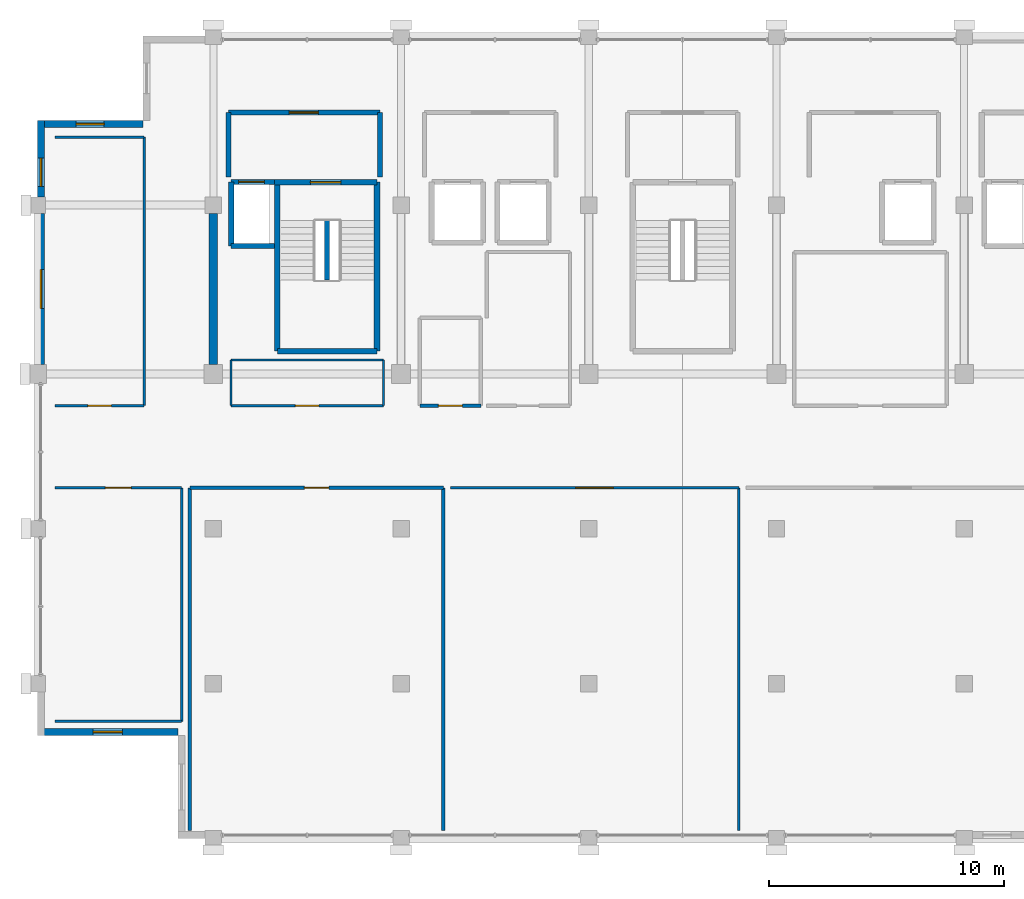
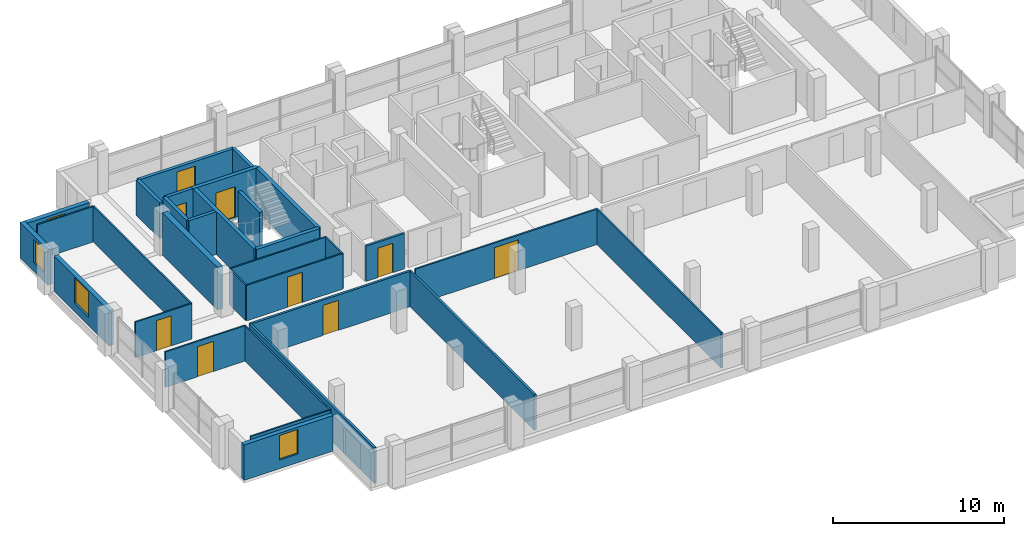
# One storey, part 20 of 24: 32 walls, 9 doors, 4 windows, 13 openings.
"""IFC4 building model written with IfcOpenShell, lengths in metres."""

from ifc_helpers import new_model, si_unit, direction, frame, frame_2d, origin, place, context, subcontext, project, spatial, rectangle, extrude, material, layer, layer_set, type_object, element, fill, save


model = new_model("IFC4")

# Units and contexts
model_context = context("Model", 3, precision=1e-05, world=origin(), true_north=direction((0.0, 1.0)))
body_context = subcontext(model_context, "Body", "Model", "MODEL_VIEW")
ifc_project = project(units=[si_unit("LENGTHUNIT", "METRE"), si_unit("AREAUNIT", "SQUARE_METRE"), si_unit("VOLUMEUNIT", "CUBIC_METRE"), si_unit("PLANEANGLEUNIT", "RADIAN"), si_unit("MASSUNIT", "GRAM", prefix="KILO")], contexts=[model_context])

# Site, building, storey
site_placement = place(None, origin())
site = spatial("IfcSite", under=ifc_project, at=site_placement, CompositionType="ELEMENT")
building_placement = place(site_placement, origin())
building = spatial("IfcBuilding", under=site, at=building_placement, Name="Akrevak Sports Hall", CompositionType="ELEMENT")
storey_placement = place(building_placement, frame((0.0, 0.0, 60.050048828125)))
storey = spatial("IfcBuildingStorey", under=building, at=storey_placement, Name="L15", CompositionType="ELEMENT", Elevation=60.050048828125)

# Wall, opening, window
ifc_material_1 = material(Name="Limestone Ashlar", Category="stone")
ifc_layer_1 = layer(ifc_material_1, 0.06005859375, Name="Limestone Ashlar")
ifc_material_2 = material(Name="Mineral Wool Thermal Insulation", Category="insulation")
ifc_layer_2 = layer(ifc_material_2, 0.090087890625, Name="Mineral Wool Thermal Insulation")
ifc_material_3 = material(Name="Concrete C40/50", Category="concrete")
ifc_layer_3 = layer(ifc_material_3, 0.14990234375, Name="Concrete C40/50")
ifc_layer_set_1 = layer_set([ifc_layer_1, ifc_layer_2, ifc_layer_3], Name="Limestone Ashlar / Mineral Wool Thermal Insulation / Concrete C40/50")
wall_type_1 = type_object("IfcWallType", Name="ARC-WL-EXT-300", PredefinedType="SOLIDWALL", material=ifc_layer_set_1)
wall_1_placement = place(storey_placement, frame((57.0, 65.85009765625, 0.0), z_axis=(0.0, 0.0, 1.0), x_axis=(-1.0, 0.0, 0.0)))
wall_1 = element("IfcWall", 1, at=wall_1_placement, inside=storey, type_object=wall_type_1, Name="Tower Stone Facade Wall L15-N25", PredefinedType="SOLIDWALL", context=body_context, shape_type="SweptSolid", body=[
    extrude(rectangle(XDim=4.5, YDim=0.300048828125, at=frame_2d((2.25, 0.0))), origin(), (0.0, 0.0, 1.0), 2.530029296875),
])
opening_1_placement = place(wall_1_placement, frame((1.64990234375, 0.0, 0.6201171875)))
opening_1 = element("IfcOpeningElement", 2, at=opening_1_placement, cuts=wall_1, Name="Opening WN-13", PredefinedType="OPENING", context=body_context, shape_type="SweptSolid", body=[
    extrude(rectangle(XDim=1.199951171875, YDim=1.699951171875, at=frame_2d((0.60009765625, 0.85009765625))), frame((0.0, 0.162109375, 0.0), z_axis=(0.0, -1.0, 0.0), x_axis=(1.0, 0.0, 0.0)), (0.0, 0.0, 1.0), 0.323974609375),
])
ifc_material_4 = material(Name="Thermally Broken Bronze Frame & Double Low-E Glass", Category="glass")
window_type_1 = type_object("IfcWindowType", Name="ARC-WIN-TW-120x170", PartitioningType="SINGLE_PANEL", PredefinedType="WINDOW", material=ifc_material_4)
window_1_placement = place(opening_1_placement, origin())
window_1 = element("IfcWindow", 3, at=window_1_placement, inside=storey, type_object=window_type_1, Name="Tower Window L15-N25", OverallHeight=1.699951171875, OverallWidth=1.199951171875, PartitioningType="SINGLE_PANEL", PredefinedType="WINDOW", context=body_context, shape_type="SweptSolid", body=[
    extrude(rectangle(XDim=1.199951171875, YDim=1.699951171875, at=frame_2d((0.60009765625, 0.85009765625))), frame((0.0, 0.030029296875, 0.0), z_axis=(0.0, -1.0, 0.0), x_axis=(1.0, 0.0, 0.0)), (0.0, 0.0, 1.0), 0.06005859375),
])
fill(opening_1, window_1)

wall_2_placement = place(storey_placement, frame((52.64990234375, 66.0, 0.0), z_axis=(0.0, 0.0, 1.0), x_axis=(0.0, -1.0, 0.0)))
wall_2 = element("IfcWall", 4, at=wall_2_placement, inside=storey, type_object=wall_type_1, Name="Tower Stone Facade Wall L15-W26", PredefinedType="SOLIDWALL", context=body_context, shape_type="SweptSolid", body=[
    extrude(rectangle(XDim=3.25, YDim=0.300048828125, at=frame_2d((1.625, 0.0))), origin(), (0.0, 0.0, 1.0), 2.530029296875),
])
opening_2_placement = place(wall_2_placement, frame((1.60009765625, 0.0, 0.6201171875)))
opening_2 = element("IfcOpeningElement", 5, at=opening_2_placement, cuts=wall_2, Name="Opening WN-45", PredefinedType="OPENING", context=body_context, shape_type="SweptSolid", body=[
    extrude(rectangle(XDim=1.199951171875, YDim=1.64990234375, at=frame_2d((0.60009765625, 0.824951171875))), frame((0.0, 0.162109375, 0.0), z_axis=(0.0, -1.0, 0.0), x_axis=(1.0, 0.0, 0.0)), (0.0, 0.0, 1.0), 0.323974609375),
])
window_type_2 = type_object("IfcWindowType", Name="ARC-WIN-SZ-1200x1650", PartitioningType="SINGLE_PANEL", PredefinedType="WINDOW", material=ifc_material_4)
window_2_placement = place(opening_2_placement, origin())
window_2 = element("IfcWindow", 6, at=window_2_placement, inside=storey, type_object=window_type_2, Name="Tower Window L15-W26", OverallHeight=1.64990234375, OverallWidth=1.199951171875, PartitioningType="SINGLE_PANEL", PredefinedType="WINDOW", context=body_context, shape_type="SweptSolid", body=[
    extrude(rectangle(XDim=1.199951171875, YDim=1.64990234375, at=frame_2d((0.60009765625, 0.824951171875))), frame((0.0, 0.030029296875, 0.0), z_axis=(0.0, -1.0, 0.0), x_axis=(1.0, 0.0, 0.0)), (0.0, 0.0, 1.0), 0.06005859375),
])
fill(opening_2, window_2)

wall_3_placement = place(storey_placement, frame((52.64990234375, 62.050048828125, 0.0), z_axis=(0.0, 0.0, 1.0), x_axis=(0.0, -1.0, 0.0)))
wall_3 = element("IfcWall", 7, at=wall_3_placement, inside=storey, type_object=wall_type_1, Name="Tower Stone Facade Wall L15-W27", PredefinedType="SOLIDWALL", context=body_context, shape_type="SweptSolid", body=[
    extrude(rectangle(XDim=6.449951171875, YDim=0.300048828125, at=frame_2d((3.22509765625, 0.0))), origin(), (0.0, 0.0, 1.0), 2.530029296875),
])
opening_3_placement = place(wall_3_placement, frame((2.39990234375, 0.0, 0.6201171875)))
opening_3 = element("IfcOpeningElement", 8, at=opening_3_placement, cuts=wall_3, Name="Opening WN-58", PredefinedType="OPENING", context=body_context, shape_type="SweptSolid", body=[
    extrude(rectangle(XDim=1.64990234375, YDim=1.81005859375, at=frame_2d((0.824951171875, 0.905029296875))), frame((0.0, 0.162109375, 0.0), z_axis=(0.0, -1.0, 0.0), x_axis=(1.0, 0.0, 0.0)), (0.0, 0.0, 1.0), 0.323974609375),
])
window_type_3 = type_object("IfcWindowType", Name="ARC-WIN-SZ-1650x1810", PartitioningType="SINGLE_PANEL", PredefinedType="WINDOW", material=ifc_material_4)
window_3_placement = place(opening_3_placement, origin())
window_3 = element("IfcWindow", 9, at=window_3_placement, inside=storey, type_object=window_type_3, Name="Tower Window L15-W27", OverallHeight=1.81005859375, OverallWidth=1.64990234375, PartitioningType="SINGLE_PANEL", PredefinedType="WINDOW", context=body_context, shape_type="SweptSolid", body=[
    extrude(rectangle(XDim=1.64990234375, YDim=1.81005859375, at=frame_2d((0.824951171875, 0.905029296875))), frame((0.0, 0.030029296875, 0.0), z_axis=(0.0, -1.0, 0.0), x_axis=(1.0, 0.0, 0.0)), (0.0, 0.0, 1.0), 0.06005859375),
])
fill(opening_3, window_3)

wall_4_placement = place(storey_placement, frame((52.5, 39.949951171875, 0.0), z_axis=(0.0, 0.0, 1.0), x_axis=(1.0, 0.0, 0.0)))
wall_4 = element("IfcWall", 10, at=wall_4_placement, inside=storey, type_object=wall_type_1, Name="Tower Stone Facade Wall L15-S31", PredefinedType="SOLIDWALL", context=body_context, shape_type="SweptSolid", body=[
    extrude(rectangle(XDim=6.0, YDim=0.300048828125, at=frame_2d((3.0, 0.0))), origin(), (0.0, 0.0, 1.0), 2.530029296875),
])
opening_4_placement = place(wall_4_placement, frame((2.375, 0.0, 0.6201171875)))
opening_4 = element("IfcOpeningElement", 11, at=opening_4_placement, cuts=wall_4, Name="Opening WN-20", PredefinedType="OPENING", context=body_context, shape_type="SweptSolid", body=[
    extrude(rectangle(XDim=1.25, YDim=1.75, at=frame_2d((0.625, 0.875))), frame((0.0, 0.162109375, 0.0), z_axis=(0.0, -1.0, 0.0), x_axis=(1.0, 0.0, 0.0)), (0.0, 0.0, 1.0), 0.323974609375),
])
window_type_4 = type_object("IfcWindowType", Name="ARC-WIN-TW-125x175", PartitioningType="SINGLE_PANEL", PredefinedType="WINDOW", material=ifc_material_4)
window_4_placement = place(opening_4_placement, origin())
window_4 = element("IfcWindow", 12, at=window_4_placement, inside=storey, type_object=window_type_4, Name="Tower Window L15-S31", OverallHeight=1.75, OverallWidth=1.25, PartitioningType="SINGLE_PANEL", PredefinedType="WINDOW", context=body_context, shape_type="SweptSolid", body=[
    extrude(rectangle(XDim=1.25, YDim=1.75, at=frame_2d((0.625, 0.875))), frame((0.0, 0.030029296875, 0.0), z_axis=(0.0, -1.0, 0.0), x_axis=(1.0, 0.0, 0.0)), (0.0, 0.0, 1.0), 0.06005859375),
])
fill(opening_4, window_4)

# Wall
ifc_material_5 = material(Name="Sanitary Cubicle Partition", Category="gypsum")
ifc_layer_4 = layer(ifc_material_5, 0.10009765625, Name="Sanitary Cubicle Partition")
ifc_layer_set_2 = layer_set([ifc_layer_4], Name="Sanitary Cubicle Partition")
wall_type_2 = type_object("IfcWallType", Name="ARC-WL-PRT-100", PredefinedType="PARTITIONING", material=ifc_layer_set_2)
wall_5_placement = place(storey_placement, frame((53.25, 40.39990234375, 0.0), z_axis=(0.0, 0.0, 1.0), x_axis=(1.0, 0.0, 0.0)))
element("IfcWall", 13, at=wall_5_placement, inside=storey, type_object=wall_type_2, Name="Interior Partition Olympic Protocol Secretariat West (L15) (S)", PredefinedType="PARTITIONING", context=body_context, shape_type="SweptSolid", body=[
    extrude(rectangle(XDim=5.39990234375, YDim=0.10009765625, at=frame_2d((2.699951171875, 0.0))), origin(), (0.0, 0.0, 1.0), 2.530029296875),
])

# Wall, opening, door
wall_6_placement = place(storey_placement, frame((53.25, 50.35009765625, 0.0), z_axis=(0.0, 0.0, 1.0), x_axis=(1.0, 0.0, 0.0)))
wall_6 = element("IfcWall", 14, at=wall_6_placement, inside=storey, type_object=wall_type_2, Name="Interior Partition Olympic Protocol Secretariat West (L15) (N)", PredefinedType="PARTITIONING", context=body_context, shape_type="SweptSolid", body=[
    extrude(rectangle(XDim=5.39990234375, YDim=0.10009765625, at=frame_2d((2.699951171875, 0.0))), origin(), (0.0, 0.0, 1.0), 2.530029296875),
])
opening_5_placement = place(wall_6_placement, frame((2.14990234375, 0.0, 0.0)))
opening_5 = element("IfcOpeningElement", 15, at=opening_5_placement, cuts=wall_6, Name="Opening ID-04", PredefinedType="OPENING", context=body_context, shape_type="SweptSolid", body=[
    extrude(rectangle(XDim=1.10009765625, YDim=2.14990234375, at=frame_2d((0.550048828125, 1.074951171875))), frame((0.0, 0.06201171875, 0.0), z_axis=(0.0, -1.0, 0.0), x_axis=(1.0, 0.0, 0.0)), (0.0, 0.0, 1.0), 0.1240234375),
])
ifc_material_6 = material(Name="Hardwood Oak Acoustic Leaf", Category="wood")
door_type_1 = type_object("IfcDoorType", Name="ARC-DR-OFF-110x215", OperationType="NOTDEFINED", PredefinedType="DOOR", material=ifc_material_6)
door_1_placement = place(opening_5_placement, frame((1.10009765625, 0.0, 0.0), z_axis=(0.0, 0.0, 1.0), x_axis=(-1.0, 0.0, 0.0)))
door_1 = element("IfcDoor", 16, at=door_1_placement, inside=storey, type_object=door_type_1, Name="Door to Olympic Protocol Secretariat West (L15)", OperationType="SINGLE_SWING_RIGHT", OverallHeight=2.14990234375, OverallWidth=1.10009765625, PredefinedType="DOOR", context=body_context, shape_type="SweptSolid", body=[
    extrude(rectangle(XDim=1.10009765625, YDim=2.14990234375, at=frame_2d((0.550048828125, 1.074951171875))), frame((0.0, 0.02490234375, 0.0), z_axis=(0.0, -1.0, 0.0), x_axis=(1.0, 0.0, 0.0)), (0.0, 0.0, 1.0), 0.050048828125),
])
fill(opening_5, door_1)

# Wall
wall_7_placement = place(storey_placement, frame((58.64990234375, 40.39990234375, 0.0), z_axis=(0.0, 0.0, 1.0), x_axis=(0.0, 1.0, 0.0)))
element("IfcWall", 17, at=wall_7_placement, inside=storey, type_object=wall_type_2, Name="Interior Partition Olympic Protocol Secretariat West (L15) (E)", PredefinedType="PARTITIONING", context=body_context, shape_type="SweptSolid", body=[
    extrude(rectangle(XDim=9.9501953125, YDim=0.10009765625, at=frame_2d((4.97509765625, 0.0))), origin(), (0.0, 0.0, 1.0), 2.530029296875),
])

# Wall, opening, door
wall_8_placement = place(storey_placement, frame((53.25, 53.85009765625, 0.0), z_axis=(0.0, 0.0, 1.0), x_axis=(1.0, 0.0, 0.0)))
wall_8 = element("IfcWall", 18, at=wall_8_placement, inside=storey, type_object=wall_type_2, Name="Interior Partition Federation Records Office West (L15) (S)", PredefinedType="PARTITIONING", context=body_context, shape_type="SweptSolid", body=[
    extrude(rectangle(XDim=3.800048828125, YDim=0.10009765625, at=frame_2d((1.89990234375, 0.0))), origin(), (0.0, 0.0, 1.0), 2.530029296875),
])
opening_6_placement = place(wall_8_placement, frame((1.39990234375, 0.0, 0.0)))
opening_6 = element("IfcOpeningElement", 19, at=opening_6_placement, cuts=wall_8, Name="Opening ID-06", PredefinedType="OPENING", context=body_context, shape_type="SweptSolid", body=[
    extrude(rectangle(XDim=1.0, YDim=2.14990234375, at=frame_2d((0.5, 1.074951171875))), frame((0.0, 0.06201171875, 0.0), z_axis=(0.0, -1.0, 0.0), x_axis=(1.0, 0.0, 0.0)), (0.0, 0.0, 1.0), 0.1240234375),
])
door_type_2 = type_object("IfcDoorType", Name="ARC-DR-OFF-100x215", OperationType="NOTDEFINED", PredefinedType="DOOR", material=ifc_material_6)
door_2_placement = place(opening_6_placement, frame((1.0, 0.0, 0.0), z_axis=(0.0, 0.0, 1.0), x_axis=(-1.0, 0.0, 0.0)))
door_2 = element("IfcDoor", 20, at=door_2_placement, inside=storey, type_object=door_type_2, Name="Door to Federation Records Office West (L15)", OperationType="SINGLE_SWING_RIGHT", OverallHeight=2.14990234375, OverallWidth=1.0, PredefinedType="DOOR", context=body_context, shape_type="SweptSolid", body=[
    extrude(rectangle(XDim=1.0, YDim=2.14990234375, at=frame_2d((0.5, 1.074951171875))), frame((0.0, 0.02490234375, 0.0), z_axis=(0.0, -1.0, 0.0), x_axis=(1.0, 0.0, 0.0)), (0.0, 0.0, 1.0), 0.050048828125),
])
fill(opening_6, door_2)

# Walls
wall_9_placement = place(storey_placement, frame((53.25, 65.300048828125, 0.0), z_axis=(0.0, 0.0, 1.0), x_axis=(1.0, 0.0, 0.0)))
element("IfcWall", 21, at=wall_9_placement, inside=storey, type_object=wall_type_2, Name="Interior Partition Federation Records Office West (L15) (N)", PredefinedType="PARTITIONING", context=body_context, shape_type="SweptSolid", body=[
    extrude(rectangle(XDim=3.800048828125, YDim=0.10009765625, at=frame_2d((1.89990234375, 0.0))), origin(), (0.0, 0.0, 1.0), 2.530029296875),
])
wall_10_placement = place(storey_placement, frame((57.050048828125, 53.85009765625, 0.0), z_axis=(0.0, 0.0, 1.0), x_axis=(0.0, 1.0, 0.0)))
element("IfcWall", 22, at=wall_10_placement, inside=storey, type_object=wall_type_2, Name="Interior Partition Federation Records Office West (L15) (E)", PredefinedType="PARTITIONING", context=body_context, shape_type="SweptSolid", body=[
    extrude(rectangle(XDim=11.449951171875, YDim=0.10009765625, at=frame_2d((5.72509765625, 0.0))), origin(), (0.0, 0.0, 1.0), 2.530029296875),
])

# Wall, opening, door
wall_11_placement = place(storey_placement, frame((60.75, 53.85009765625, 0.0), z_axis=(0.0, 0.0, 1.0), x_axis=(1.0, 0.0, 0.0)))
wall_11 = element("IfcWall", 23, at=wall_11_placement, inside=storey, type_object=wall_type_2, Name="Interior Partition Federation Technical Office West (L15) (S)", PredefinedType="PARTITIONING", context=body_context, shape_type="SweptSolid", body=[
    extrude(rectangle(XDim=6.5, YDim=0.10009765625, at=frame_2d((3.25, 0.0))), origin(), (0.0, 0.0, 1.0), 2.530029296875),
])
opening_7_placement = place(wall_11_placement, frame((2.75, 0.0, 0.0)))
opening_7 = element("IfcOpeningElement", 24, at=opening_7_placement, cuts=wall_11, Name="Opening ID-06", PredefinedType="OPENING", context=body_context, shape_type="SweptSolid", body=[
    extrude(rectangle(XDim=1.0, YDim=2.14990234375, at=frame_2d((0.5, 1.074951171875))), frame((0.0, 0.06201171875, 0.0), z_axis=(0.0, -1.0, 0.0), x_axis=(1.0, 0.0, 0.0)), (0.0, 0.0, 1.0), 0.1240234375),
])
door_3_placement = place(opening_7_placement, origin())
door_3 = element("IfcDoor", 25, at=door_3_placement, inside=storey, type_object=door_type_2, Name="Door to Federation Technical Office West (L15)", OperationType="SINGLE_SWING_LEFT", OverallHeight=2.14990234375, OverallWidth=1.0, PredefinedType="DOOR", context=body_context, shape_type="SweptSolid", body=[
    extrude(rectangle(XDim=1.0, YDim=2.14990234375, at=frame_2d((0.5, 1.074951171875))), frame((0.0, 0.02490234375, 0.0), z_axis=(0.0, -1.0, 0.0), x_axis=(1.0, 0.0, 0.0)), (0.0, 0.0, 1.0), 0.050048828125),
])
fill(opening_7, door_3)

# Walls
wall_12_placement = place(storey_placement, frame((60.75, 55.800048828125, 0.0), z_axis=(0.0, 0.0, 1.0), x_axis=(1.0, 0.0, 0.0)))
element("IfcWall", 26, at=wall_12_placement, inside=storey, type_object=wall_type_2, Name="Interior Partition Federation Technical Office West (L15) (N)", PredefinedType="PARTITIONING", context=body_context, shape_type="SweptSolid", body=[
    extrude(rectangle(XDim=6.5, YDim=0.10009765625, at=frame_2d((3.25, 0.0))), origin(), (0.0, 0.0, 1.0), 2.530029296875),
])
for number, where, z_axis, x_axis, name in (
    (27, (60.75, 53.85009765625, 0.0), (0.0, 0.0, 1.0), (0.0, 1.0, 0.0), "Interior Partition Federation Technical Office West (L15) (W)"),
    (28, (67.25, 53.85009765625, 0.0), (0.0, 0.0, 1.0), (0.0, 1.0, 0.0), "Interior Partition Federation Technical Office West (L15) (E)"),
):
    element("IfcWall", number, at=place(storey_placement, frame(where, z_axis=z_axis, x_axis=x_axis)), inside=storey, type_object=wall_type_2, Name=name, PredefinedType="PARTITIONING", context=body_context, shape_type="SweptSolid", body=[
        extrude(rectangle(XDim=1.949951171875, YDim=0.10009765625, at=frame_2d((0.97509765625, 0.0))), origin(), (0.0, 0.0, 1.0), 2.530029296875),
    ])

# Wall, opening, door
ifc_material_7 = material(Name="Lightweight Office Partition", Category="gypsum")
ifc_layer_5 = layer(ifc_material_7, 0.110107421875, Name="Lightweight Office Partition")
ifc_layer_set_3 = layer_set([ifc_layer_5], Name="Lightweight Office Partition")
wall_type_3 = type_object("IfcWallType", Name="ARC-WL-PRT-110", PredefinedType="PARTITIONING", material=ifc_layer_set_3)
wall_13_placement = place(storey_placement, frame((70.10009765625, 50.35009765625, 0.0), z_axis=(0.0, 0.0, 1.0), x_axis=(1.0, 0.0, 0.0)))
wall_13 = element("IfcWall", 29, at=wall_13_placement, inside=storey, type_object=wall_type_3, Name="Interior Partition Sports Heritage Reading Gallery (L15) (N)", PredefinedType="PARTITIONING", context=body_context, shape_type="SweptSolid", body=[
    extrude(rectangle(XDim=12.2998046875, YDim=0.110107421875, at=frame_2d((6.14990234375, 0.0))), origin(), (0.0, 0.0, 1.0), 2.530029296875),
])
opening_8_placement = place(wall_13_placement, frame((5.35009765625, 0.0, 0.0)))
opening_8 = element("IfcOpeningElement", 30, at=opening_8_placement, cuts=wall_13, Name="Opening ID-03", PredefinedType="OPENING", context=body_context, shape_type="SweptSolid", body=[
    extrude(rectangle(XDim=1.60009765625, YDim=2.199951171875, at=frame_2d((0.800048828125, 1.10009765625))), frame((0.0, 0.06689453125, 0.0), z_axis=(0.0, -1.0, 0.0), x_axis=(1.0, 0.0, 0.0)), (0.0, 0.0, 1.0), 0.134033203125),
])
ifc_material_8 = material(Name="Hardwood Oak & Safety Glass", Category="wood")
door_type_3 = type_object("IfcDoorType", Name="ARC-DR-HALL-160x220", OperationType="DOUBLE_DOOR_SINGLE_SWING", PredefinedType="DOOR", material=ifc_material_8)
door_4_placement = place(opening_8_placement, origin())
door_4 = element("IfcDoor", 31, at=door_4_placement, inside=storey, type_object=door_type_3, Name="Door to Sports Heritage Reading Gallery (L15)", OperationType="DOUBLE_DOOR_SINGLE_SWING", OverallHeight=2.199951171875, OverallWidth=1.60009765625, PredefinedType="DOOR", context=body_context, shape_type="SweptSolid", body=[
    extrude(rectangle(XDim=1.60009765625, YDim=2.199951171875, at=frame_2d((0.800048828125, 1.10009765625))), frame((0.0, 0.02490234375, 0.0), z_axis=(0.0, -1.0, 0.0), x_axis=(1.0, 0.0, 0.0)), (0.0, 0.0, 1.0), 0.050048828125),
])
fill(opening_8, door_4)

# Wall
wall_14_placement = place(storey_placement, frame((82.39990234375, 35.75, 0.0), z_axis=(0.0, 0.0, 1.0), x_axis=(0.0, 1.0, 0.0)))
element("IfcWall", 32, at=wall_14_placement, inside=storey, type_object=wall_type_3, Name="Interior Partition Sports Heritage Reading Gallery (L15) (E)", PredefinedType="PARTITIONING", context=body_context, shape_type="SweptSolid", body=[
    extrude(rectangle(XDim=14.60009765625, YDim=0.110107421875, at=frame_2d((7.300048828125, 0.0))), origin(), (0.0, 0.0, 1.0), 2.530029296875),
])

# Wall, opening, door
ifc_material_9 = material(Name="Moisture-Resistant Wet-Area Partition", Category="gypsum")
ifc_layer_6 = layer(ifc_material_9, 0.139892578125, Name="Moisture-Resistant Wet-Area Partition")
ifc_layer_set_4 = layer_set([ifc_layer_6], Name="Moisture-Resistant Wet-Area Partition")
wall_type_4 = type_object("IfcWallType", Name="ARC-WL-PRT-140", PredefinedType="PARTITIONING", material=ifc_layer_set_4)
wall_15_placement = place(storey_placement, frame((68.800048828125, 53.85009765625, 0.0), z_axis=(0.0, 0.0, 1.0), x_axis=(1.0, 0.0, 0.0)))
wall_15 = element("IfcWall", 33, at=wall_15_placement, inside=storey, type_object=wall_type_4, Name="Interior Partition Accessible WC L15 (S)", PredefinedType="PARTITIONING", context=body_context, shape_type="SweptSolid", body=[
    extrude(rectangle(XDim=2.599853515625, YDim=0.139892578125, at=frame_2d((1.2998046875, 0.0))), origin(), (0.0, 0.0, 1.0), 2.530029296875),
])
opening_9_placement = place(wall_15_placement, frame((0.7900390625, 0.0, 0.0)))
opening_9 = element("IfcOpeningElement", 34, at=opening_9_placement, cuts=wall_15, Name="Opening ID-09", PredefinedType="OPENING", context=body_context, shape_type="SweptSolid", body=[
    extrude(rectangle(XDim=1.02001953125, YDim=2.10009765625, at=frame_2d((0.510009765625, 1.050048828125))), frame((0.0, 0.08203125, 0.0), z_axis=(0.0, -1.0, 0.0), x_axis=(1.0, 0.0, 0.0)), (0.0, 0.0, 1.0), 0.163818359375),
])
ifc_material_10 = material(Name="High-Pressure Laminate & Aluminium", Category="aluminium")
door_type_4 = type_object("IfcDoorType", Name="ARC-DR-AWC-102x210", OperationType="NOTDEFINED", PredefinedType="DOOR", material=ifc_material_10)
door_5_placement = place(opening_9_placement, frame((1.02001953125, 0.0, 0.0), z_axis=(0.0, 0.0, 1.0), x_axis=(-1.0, 0.0, 0.0)))
door_5 = element("IfcDoor", 35, at=door_5_placement, inside=storey, type_object=door_type_4, Name="Door to Accessible WC L15", OperationType="SINGLE_SWING_RIGHT", OverallHeight=2.10009765625, OverallWidth=1.02001953125, PredefinedType="DOOR", context=body_context, shape_type="SweptSolid", body=[
    extrude(rectangle(XDim=1.02001953125, YDim=2.10009765625, at=frame_2d((0.510009765625, 1.050048828125))), frame((0.0, 0.02490234375, 0.0), z_axis=(0.0, -1.0, 0.0), x_axis=(1.0, 0.0, 0.0)), (0.0, 0.0, 1.0), 0.050048828125),
])
fill(opening_9, door_5)

ifc_material_11 = material(Name="Double Stud Acoustic Gypsum Partition", Category="gypsum")
ifc_layer_7 = layer(ifc_material_11, 0.14990234375, Name="Double Stud Acoustic Gypsum Partition")
ifc_layer_set_5 = layer_set([ifc_layer_7], Name="Double Stud Acoustic Gypsum Partition")
wall_type_5 = type_object("IfcWallType", Name="ARC-WL-PRT-150", PredefinedType="PARTITIONING", material=ifc_layer_set_5)
wall_16_placement = place(storey_placement, frame((59.0, 50.35009765625, 0.0), z_axis=(0.0, 0.0, 1.0), x_axis=(1.0, 0.0, 0.0)))
wall_16 = element("IfcWall", 36, at=wall_16_placement, inside=storey, type_object=wall_type_5, Name="Interior Partition Bosphorus Athletic Club Dining Hall (L15) (N)", PredefinedType="PARTITIONING", context=body_context, shape_type="SweptSolid", body=[
    extrude(rectangle(XDim=10.800048828125, YDim=0.14990234375, at=frame_2d((5.39990234375, 0.0))), origin(), (0.0, 0.0, 1.0), 2.530029296875),
])
opening_10_placement = place(wall_16_placement, frame((4.875, 0.0, 0.0)))
opening_10 = element("IfcOpeningElement", 37, at=opening_10_placement, cuts=wall_16, Name="Opening ID-05", PredefinedType="OPENING", context=body_context, shape_type="SweptSolid", body=[
    extrude(rectangle(XDim=1.050048828125, YDim=2.14990234375, at=frame_2d((0.52490234375, 1.074951171875))), frame((0.0, 0.0869140625, 0.0), z_axis=(0.0, -1.0, 0.0), x_axis=(1.0, 0.0, 0.0)), (0.0, 0.0, 1.0), 0.173828125),
])
door_type_5 = type_object("IfcDoorType", Name="ARC-DR-OFF-105x215", OperationType="NOTDEFINED", PredefinedType="DOOR", material=ifc_material_6)
door_6_placement = place(opening_10_placement, origin())
door_6 = element("IfcDoor", 38, at=door_6_placement, inside=storey, type_object=door_type_5, Name="Door to Bosphorus Athletic Club Dining Hall (L15)", OperationType="SINGLE_SWING_RIGHT", OverallHeight=2.14990234375, OverallWidth=1.050048828125, PredefinedType="DOOR", context=body_context, shape_type="SweptSolid", body=[
    extrude(rectangle(XDim=1.050048828125, YDim=2.14990234375, at=frame_2d((0.52490234375, 1.074951171875))), frame((0.0, 0.02490234375, 0.0), z_axis=(0.0, -1.0, 0.0), x_axis=(1.0, 0.0, 0.0)), (0.0, 0.0, 1.0), 0.050048828125),
])
fill(opening_10, door_6)

# Walls
for number, where, z_axis, x_axis, name in (
    (39, (59.0, 35.75, 0.0), (0.0, 0.0, 1.0), (0.0, 1.0, 0.0), "Interior Partition Bosphorus Athletic Club Dining Hall (L15) (W)"),
    (40, (69.800048828125, 35.75, 0.0), (0.0, 0.0, 1.0), (0.0, 1.0, 0.0), "Interior Partition Bosphorus Athletic Club Dining Hall (L15) (E)"),
):
    element("IfcWall", number, at=place(storey_placement, frame(where, z_axis=z_axis, x_axis=x_axis)), inside=storey, type_object=wall_type_5, Name=name, PredefinedType="PARTITIONING", context=body_context, shape_type="SweptSolid", body=[
        extrude(rectangle(XDim=14.60009765625, YDim=0.14990234375, at=frame_2d((7.300048828125, 0.0))), origin(), (0.0, 0.0, 1.0), 2.530029296875),
    ])
ifc_layer_8 = layer(ifc_material_3, 0.219970703125, Name="Concrete C40/50")
ifc_layer_set_6 = layer_set([ifc_layer_8], Name="Concrete C40/50")
wall_type_6 = type_object("IfcWallType", Name="ARC-WL-PRT-220", PredefinedType="PARTITIONING", material=ifc_layer_set_6)
wall_17_placement = place(storey_placement, frame((64.85009765625, 59.215087890625, 0.0), z_axis=(0.0, 0.0, 1.0), x_axis=(0.0, 1.0, 0.0)))
element("IfcWall", 41, at=wall_17_placement, inside=storey, type_object=wall_type_6, Name="Stair ST1 Central Spine Wall (L15)", PredefinedType="PARTITIONING", context=body_context, shape_type="SweptSolid", body=[
    extrude(rectangle(XDim=2.52001953125, YDim=0.219970703125, at=frame_2d((1.260009765625, 0.0))), origin(), (0.0, 0.0, 1.0), 3.0400390625),
])

# Wall, opening, door
wall_18_placement = place(storey_placement, frame((60.64990234375, 66.35009765625, 0.0), z_axis=(0.0, 0.0, 1.0), x_axis=(1.0, 0.0, 0.0)))
wall_18 = element("IfcWall", 42, at=wall_18_placement, inside=storey, type_object=wall_type_6, Name="Interior Partition Firefighting Lobby West L15 (N)", PredefinedType="PARTITIONING", context=body_context, shape_type="SweptSolid", body=[
    extrude(rectangle(XDim=6.4501953125, YDim=0.219970703125, at=frame_2d((3.22509765625, 0.0))), origin(), (0.0, 0.0, 1.0), 2.530029296875),
])
opening_11_placement = place(wall_18_placement, frame((2.574951171875, 0.0, 0.0)))
opening_11 = element("IfcOpeningElement", 43, at=opening_11_placement, cuts=wall_18, Name="Opening FD-01", PredefinedType="OPENING", context=body_context, shape_type="SweptSolid", body=[
    extrude(rectangle(XDim=1.25, YDim=2.199951171875, at=frame_2d((0.625, 1.10009765625))), frame((0.0, 0.1220703125, 0.0), z_axis=(0.0, -1.0, 0.0), x_axis=(1.0, 0.0, 0.0)), (0.0, 0.0, 1.0), 0.243896484375),
])
ifc_material_12 = material(Name="Fire-Rated Galvanized Door Steel", Category="steel")
door_type_6 = type_object("IfcDoorType", Name="ARC-DR-FFL-125x220", OperationType="NOTDEFINED", PredefinedType="DOOR", material=ifc_material_12)
door_7_placement = place(opening_11_placement, frame((1.25, 0.0, 0.0), z_axis=(0.0, 0.0, 1.0), x_axis=(-1.0, 0.0, 0.0)))
door_7 = element("IfcDoor", 44, at=door_7_placement, inside=storey, type_object=door_type_6, Name="Door to Firefighting Lobby West L15", OperationType="SINGLE_SWING_RIGHT", OverallHeight=2.199951171875, OverallWidth=1.25, PredefinedType="DOOR", context=body_context, shape_type="SweptSolid", body=[
    extrude(rectangle(XDim=1.25, YDim=2.199951171875, at=frame_2d((0.625, 1.10009765625))), frame((0.0, 0.02490234375, 0.0), z_axis=(0.0, -1.0, 0.0), x_axis=(1.0, 0.0, 0.0)), (0.0, 0.0, 1.0), 0.050048828125),
])
fill(opening_11, door_7)

# Walls
for number, where, z_axis, x_axis, name in (
    (45, (60.64990234375, 63.60009765625, 0.0), (0.0, 0.0, 1.0), (0.0, 1.0, 0.0), "Interior Partition Firefighting Lobby West L15 (W)"),
    (46, (67.10009765625, 63.60009765625, 0.0), (0.0, 0.0, 1.0), (0.0, 1.0, 0.0), "Interior Partition Firefighting Lobby West L15 (E)"),
):
    element("IfcWall", number, at=place(storey_placement, frame(where, z_axis=z_axis, x_axis=x_axis)), inside=storey, type_object=wall_type_6, Name=name, PredefinedType="PARTITIONING", context=body_context, shape_type="SweptSolid", body=[
        extrude(rectangle(XDim=2.75, YDim=0.219970703125, at=frame_2d((1.375, 0.0))), origin(), (0.0, 0.0, 1.0), 2.530029296875),
    ])
ifc_material_13 = material(Name="Concrete C50/60", Category="concrete")
ifc_layer_9 = layer(ifc_material_13, 0.219970703125, Name="Concrete C50/60")
ifc_layer_set_7 = layer_set([ifc_layer_9], Name="Concrete C50/60")
wall_type_7 = type_object("IfcWallType", Name="ARC-WL-SHAFT-220", PredefinedType="SHEAR", material=ifc_layer_set_7)
wall_19_placement = place(storey_placement, frame((60.760009765625, 60.659912109375, 0.0), z_axis=(0.0, 0.0, 1.0), x_axis=(1.0, 0.0, 0.0)))
element("IfcWall", 47, at=wall_19_placement, inside=storey, type_object=wall_type_7, Name="Lift Shaft LF-FF1 Wall S (L15)", PredefinedType="SHEAR", context=body_context, shape_type="SweptSolid", body=[
    extrude(rectangle(XDim=1.840087890625, YDim=0.219970703125, at=frame_2d((0.919921875, 0.0))), origin(), (0.0, 0.0, 1.0), 3.0400390625),
])

# Wall, opening, door
wall_20_placement = place(storey_placement, frame((62.60009765625, 63.389892578125, 0.0), z_axis=(0.0, 0.0, 1.0), x_axis=(-1.0, 0.0, 0.0)))
wall_20 = element("IfcWall", 48, at=wall_20_placement, inside=storey, type_object=wall_type_7, Name="Lift Shaft LF-FF1 Wall N (L15)", PredefinedType="SHEAR", context=body_context, shape_type="SweptSolid", body=[
    extrude(rectangle(XDim=1.840087890625, YDim=0.219970703125, at=frame_2d((0.919921875, 0.0))), origin(), (0.0, 0.0, 1.0), 3.0400390625),
])
opening_12_placement = place(wall_20_placement, frame((0.425048828125, 0.0, 0.0)))
opening_12 = element("IfcOpeningElement", 49, at=opening_12_placement, cuts=wall_20, Name="Opening LD-01", PredefinedType="OPENING", context=body_context, shape_type="SweptSolid", body=[
    extrude(rectangle(XDim=1.10009765625, YDim=2.199951171875, at=frame_2d((0.550048828125, 1.10009765625))), frame((0.0, 0.1220703125, 0.0), z_axis=(0.0, -1.0, 0.0), x_axis=(1.0, 0.0, 0.0)), (0.0, 0.0, 1.0), 0.243896484375),
])
ifc_material_14 = material(Name="Brushed Stainless Steel 304", Category="steel")
door_type_7 = type_object("IfcDoorType", Name="ARC-DR-LD-110x220", OperationType="SLIDING_TO_LEFT", PredefinedType="DOOR", material=ifc_material_14)
door_8_placement = place(opening_12_placement, origin())
door_8 = element("IfcDoor", 50, at=door_8_placement, inside=storey, type_object=door_type_7, Name="Lift LF-FF1 Sliding Landing Door (L15)", OperationType="SLIDING_TO_RIGHT", OverallHeight=2.199951171875, OverallWidth=1.10009765625, PredefinedType="DOOR", context=body_context, shape_type="SweptSolid", body=[
    extrude(rectangle(XDim=1.10009765625, YDim=2.199951171875, at=frame_2d((0.550048828125, 1.10009765625))), frame((0.0, 0.02490234375, 0.0), z_axis=(0.0, -1.0, 0.0), x_axis=(1.0, 0.0, 0.0)), (0.0, 0.0, 1.0), 0.050048828125),
])
fill(opening_12, door_8)

# Walls
wall_21_placement = place(storey_placement, frame((60.760009765625, 63.389892578125, 0.0), z_axis=(0.0, 0.0, 1.0), x_axis=(0.0, -1.0, 0.0)))
element("IfcWall", 51, at=wall_21_placement, inside=storey, type_object=wall_type_7, Name="Lift Shaft LF-FF1 Wall W (L15)", PredefinedType="SHEAR", context=body_context, shape_type="SweptSolid", body=[
    extrude(rectangle(XDim=2.72998046875, YDim=0.219970703125, at=frame_2d((1.364990234375, 0.0))), origin(), (0.0, 0.0, 1.0), 3.0400390625),
])
ifc_layer_10 = layer(ifc_material_13, 0.35009765625, Name="Concrete C50/60")
ifc_layer_set_8 = layer_set([ifc_layer_10], Name="Concrete C50/60")
wall_type_8 = type_object("IfcWallType", Name="STR-WL-CORE-350", PredefinedType="SHEAR", material=ifc_layer_set_8)
wall_22_placement = place(storey_placement, frame((60.0, 55.60009765625, 0.0), z_axis=(0.0, 0.0, 1.0), x_axis=(0.0, 1.0, 0.0)))
element("IfcWall", 52, at=wall_22_placement, inside=storey, type_object=wall_type_8, Name="Reinforced Concrete Shear Wall SW-W2 (L15)", PredefinedType="SHEAR", context=body_context, shape_type="SweptSolid", body=[
    extrude(rectangle(XDim=6.449951171875, YDim=0.35009765625, at=frame_2d((3.22509765625, 0.0))), origin(), (0.0, 0.0, 1.0), 3.0400390625),
])
ifc_layer_11 = layer(ifc_material_13, 0.25, Name="Concrete C50/60")
ifc_layer_set_9 = layer_set([ifc_layer_11], Name="Concrete C50/60")
wall_type_9 = type_object("IfcWallType", Name="STR-WL-STAIR-250", PredefinedType="SHEAR", material=ifc_layer_set_9)
wall_23_placement = place(storey_placement, frame((62.72509765625, 56.175048828125, 0.0), z_axis=(0.0, 0.0, 1.0), x_axis=(1.0, 0.0, 0.0)))
element("IfcWall", 53, at=wall_23_placement, inside=storey, type_object=wall_type_9, Name="Stair Core ST1 Shear Wall S (L15)", PredefinedType="SHEAR", context=body_context, shape_type="SweptSolid", body=[
    extrude(rectangle(XDim=4.25, YDim=0.25, at=frame_2d((2.125, 0.0))), origin(), (0.0, 0.0, 1.0), 3.0400390625),
])

# Wall, opening, door
wall_24_placement = place(storey_placement, frame((66.97509765625, 63.375, 0.0), z_axis=(0.0, 0.0, 1.0), x_axis=(-1.0, 0.0, 0.0)))
wall_24 = element("IfcWall", 54, at=wall_24_placement, inside=storey, type_object=wall_type_9, Name="Stair Core ST1 Shear Wall N (L15)", PredefinedType="SHEAR", context=body_context, shape_type="SweptSolid", body=[
    extrude(rectangle(XDim=4.375, YDim=0.25, at=frame_2d((2.1875, 0.0))), origin(), (0.0, 0.0, 1.0), 3.0400390625),
])
opening_13_placement = place(wall_24_placement, frame((1.53759765625, 0.0, 0.0)))
opening_13 = element("IfcOpeningElement", 55, at=opening_13_placement, cuts=wall_24, Name="Opening SD-01", PredefinedType="OPENING", context=body_context, shape_type="SweptSolid", body=[
    extrude(rectangle(XDim=1.300048828125, YDim=2.199951171875, at=frame_2d((0.64990234375, 1.10009765625))), frame((0.0, 0.136962890625, 0.0), z_axis=(0.0, -1.0, 0.0), x_axis=(1.0, 0.0, 0.0)), (0.0, 0.0, 1.0), 0.27392578125),
])
door_type_8 = type_object("IfcDoorType", Name="ARC-DR-STAIR-130x220", OperationType="NOTDEFINED", PredefinedType="DOOR", material=ifc_material_12)
door_9_placement = place(opening_13_placement, origin())
door_9 = element("IfcDoor", 56, at=door_9_placement, inside=storey, type_object=door_type_8, Name="Exit Stair ST1 Door (L15)", OperationType="SINGLE_SWING_LEFT", OverallHeight=2.199951171875, OverallWidth=1.300048828125, PredefinedType="DOOR", context=body_context, shape_type="SweptSolid", body=[
    extrude(rectangle(XDim=1.300048828125, YDim=2.199951171875, at=frame_2d((0.64990234375, 1.10009765625))), frame((0.0, 0.02490234375, 0.0), z_axis=(0.0, -1.0, 0.0), x_axis=(1.0, 0.0, 0.0)), (0.0, 0.0, 1.0), 0.050048828125),
])
fill(opening_13, door_9)

# Walls
wall_25_placement = place(storey_placement, frame((62.72509765625, 63.25, 0.0), z_axis=(0.0, 0.0, 1.0), x_axis=(0.0, -1.0, 0.0)))
element("IfcWall", 57, at=wall_25_placement, inside=storey, type_object=wall_type_9, Name="Stair Core ST1 Shear Wall W (L15)", PredefinedType="SHEAR", context=body_context, shape_type="SweptSolid", body=[
    extrude(rectangle(XDim=7.074951171875, YDim=0.25, at=frame_2d((3.53759765625, 0.0))), origin(), (0.0, 0.0, 1.0), 3.0400390625),
])
wall_26_placement = place(storey_placement, frame((66.97509765625, 56.175048828125, 0.0), z_axis=(0.0, 0.0, 1.0), x_axis=(0.0, 1.0, 0.0)))
element("IfcWall", 58, at=wall_26_placement, inside=storey, type_object=wall_type_9, Name="Stair Core ST1 Shear Wall E (L15)", PredefinedType="SHEAR", context=body_context, shape_type="SweptSolid", body=[
    extrude(rectangle(XDim=7.199951171875, YDim=0.25, at=frame_2d((3.60009765625, 0.0))), origin(), (0.0, 0.0, 1.0), 3.0400390625),
])

save(model, "model.ifc")
